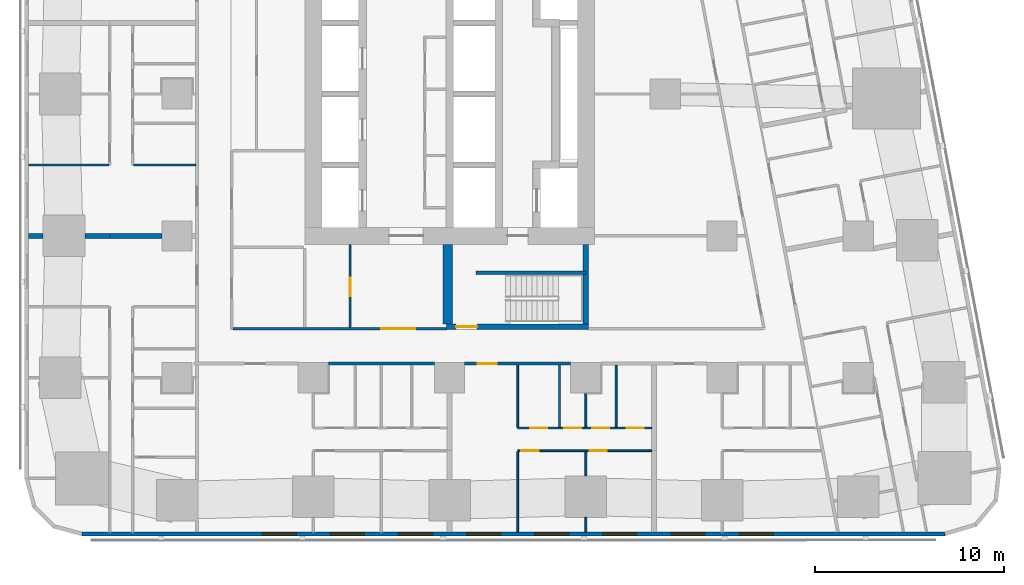
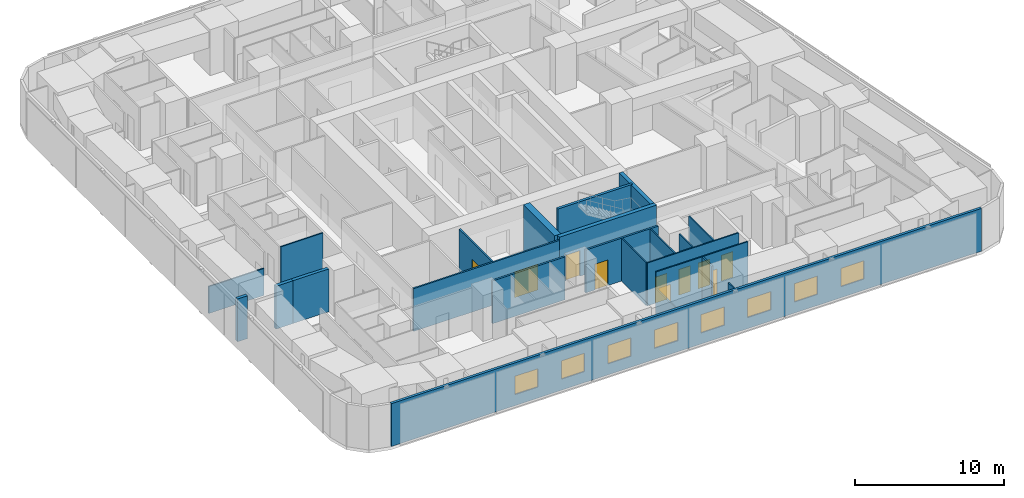
# One storey, part 3 of 15: 23 walls, 10 doors, 8 windows, 18 openings.
"""IFC4 building model written with IfcOpenShell, lengths in metres."""

from ifc_helpers import new_model, si_unit, direction, frame, frame_2d, origin, place, context, subcontext, project, spatial, rectangle, extrude, material, layer, layer_set, type_object, element, fill, save


model = new_model("IFC4")

# Units and contexts
model_context = context("Model", 3, precision=1e-05, world=origin(), true_north=direction((0.0, 1.0)))
body_context = subcontext(model_context, "Body", "Model", "MODEL_VIEW")
ifc_project = project(units=[si_unit("LENGTHUNIT", "METRE"), si_unit("AREAUNIT", "SQUARE_METRE"), si_unit("VOLUMEUNIT", "CUBIC_METRE"), si_unit("PLANEANGLEUNIT", "RADIAN"), si_unit("MASSUNIT", "GRAM", prefix="KILO")], contexts=[model_context])

# Site, building, storey
site_placement = place(None, origin())
site = spatial("IfcSite", under=ifc_project, at=site_placement, CompositionType="ELEMENT")
building_placement = place(site_placement, origin())
building = spatial("IfcBuilding", under=site, at=building_placement, Name="Sheger Commons Tower", CompositionType="ELEMENT")
storey_placement = place(building_placement, frame((0.0, 0.0, 107.89990234375)))
storey = spatial("IfcBuildingStorey", under=building, at=storey_placement, Name="L27", CompositionType="ELEMENT", Elevation=107.89990234375)

# Wall, opening, door
ifc_material_1 = material(Name="Hollow concrete block masonry, skimmed both sides", Category="masonry")
ifc_layer_1 = layer(ifc_material_1, 0.14990234375)
ifc_layer_set_1 = layer_set([ifc_layer_1], Name="CORRIDOR WALL 150")
wall_type_1 = type_object("IfcWallType", Name="CORRIDOR WALL 150", PredefinedType="SOLIDWALL", material=ifc_layer_set_1)
wall_1_placement = place(storey_placement, frame((27.9990234375, 8.25, 0.0), z_axis=(0.0, 0.0, 1.0), x_axis=(-1.0, 0.0, 0.0)))
wall_1 = element("IfcWall", 1, at=wall_1_placement, inside=storey, type_object=wall_type_1, Name="Corridor wall L27", PredefinedType="SOLIDWALL", context=body_context, shape_type="SweptSolid", body=[
    extrude(rectangle(XDim=5.59814453125, YDim=0.14990234375, at=frame_2d((2.799072265625, 0.0))), origin(), (0.0, 0.0, 1.0), 3.5),
])
opening_1_placement = place(wall_1_placement, frame((3.89892578125, 0.0, 0.0)))
opening_1 = element("IfcOpeningElement", 2, at=opening_1_placement, cuts=wall_1, Name="Opening D1", PredefinedType="OPENING", context=body_context, shape_type="SweptSolid", body=[
    extrude(rectangle(XDim=1.0, YDim=2.10009765625, at=frame_2d((0.5, 1.050048828125))), frame((0.0, 0.0849609375, 0.0), z_axis=(0.0, -1.0, 0.0), x_axis=(1.0, 0.0, 0.0)), (0.0, 0.0, 1.0), 0.169921875),
])
ifc_material_2 = material(Name="Steel door set, fire rated", Category="steel")
door_type_1 = type_object("IfcDoorType", Name="FLAT ENTRANCE DOOR 1000x2100", OperationType="NOTDEFINED", PredefinedType="DOOR", material=ifc_material_2)
door_1_placement = place(opening_1_placement, origin())
door_1 = element("IfcDoor", 3, at=door_1_placement, inside=storey, type_object=door_type_1, Name="Flat entrance door", OperationType="SINGLE_SWING_RIGHT", OverallHeight=2.10009765625, OverallWidth=1.0, PredefinedType="DOOR", context=body_context, shape_type="SweptSolid", body=[
    extrude(rectangle(XDim=1.0, YDim=2.10009765625, at=frame_2d((0.5, 1.050048828125))), frame((0.0, 0.02490234375, 0.0), z_axis=(0.0, -1.0, 0.0), x_axis=(1.0, 0.0, 0.0)), (0.0, 0.0, 1.0), 0.050048828125),
])
fill(opening_1, door_1)

# Walls
wall_2_placement = place(storey_placement, frame((20.799072265625, 8.25, 0.0), z_axis=(0.0, 0.0, 1.0), x_axis=(-1.0, 0.0, 0.0)))
element("IfcWall", 4, at=wall_2_placement, inside=storey, type_object=wall_type_1, Name="Corridor wall L27", PredefinedType="SOLIDWALL", context=body_context, shape_type="SweptSolid", body=[
    extrude(rectangle(XDim=5.59814453125, YDim=0.14990234375, at=frame_2d((2.799072265625, 0.0))), origin(), (0.0, 0.0, 1.0), 3.5),
])
ifc_material_3 = material(Name="Dense concrete block masonry, plastered both sides (separating wall between flats)", Category="masonry")
ifc_layer_2 = layer(ifc_material_3, 0.25)
ifc_layer_set_2 = layer_set([ifc_layer_2], Name="DEMISING WALL 250")
wall_type_2 = type_object("IfcWallType", Name="DEMISING WALL 250", PredefinedType="SOLIDWALL", material=ifc_layer_set_2)
wall_3_placement = place(storey_placement, frame((-0.64990234375, 15.0, 0.0), z_axis=(0.0, 0.0, 1.0), x_axis=(1.0, 0.0, 0.0)))
element("IfcWall", 5, at=wall_3_placement, inside=storey, type_object=wall_type_2, Name="Demising wall L27", PredefinedType="SOLIDWALL", context=body_context, shape_type="SweptSolid", body=[
    extrude(rectangle(XDim=0.77392578125, YDim=0.25, at=frame_2d((0.386962890625, 0.0))), origin(), (0.0, 0.0, 1.0), 3.5),
])
wall_4_placement = place(storey_placement, frame((2.325927734375, 15.0, 0.0), z_axis=(0.0, 0.0, 1.0), x_axis=(1.0, 0.0, 0.0)))
element("IfcWall", 6, at=wall_4_placement, inside=storey, type_object=wall_type_2, Name="Demising wall L27", PredefinedType="SOLIDWALL", context=body_context, shape_type="SweptSolid", body=[
    extrude(rectangle(XDim=1.323974609375, YDim=0.25, at=frame_2d((0.662109375, 0.0))), origin(), (0.0, 0.0, 1.0), 3.5),
])
wall_5_placement = place(storey_placement, frame((3.64990234375, 15.0, 0.0), z_axis=(0.0, 0.0, 1.0), x_axis=(1.0, 0.0, 0.0)))
element("IfcWall", 7, at=wall_5_placement, inside=storey, type_object=wall_type_2, Name="Demising wall L27", PredefinedType="SOLIDWALL", context=body_context, shape_type="SweptSolid", body=[
    extrude(rectangle(XDim=2.7490234375, YDim=0.25, at=frame_2d((1.37451171875, 0.0))), origin(), (0.0, 0.0, 1.0), 3.5),
])

# Wall, openings, windows
ifc_material_4 = material(Name="Rendered concrete block masonry, dark grey", Category="masonry")
ifc_layer_3 = layer(ifc_material_4, 0.199951171875)
ifc_layer_set_3 = layer_set([ifc_layer_3], Name="FACADE WALL 200")
wall_type_3 = type_object("IfcWallType", Name="FACADE WALL 200", PredefinedType="SOLIDWALL", material=ifc_layer_set_3)
wall_6_placement = place(storey_placement, frame((2.1630859375, -0.75, 0.0), z_axis=(0.0, 0.0, 1.0), x_axis=(1.0, 0.0, 0.0)))
wall_6 = element("IfcWall", 8, at=wall_6_placement, inside=storey, type_object=wall_type_3, Name="Facade wall L27", PredefinedType="SOLIDWALL", context=body_context, shape_type="SweptSolid", body=[
    extrude(rectangle(XDim=45.6279296875, YDim=0.199951171875, at=frame_2d((22.81396484375, 0.0))), origin(), (0.0, 0.0, 1.0), 3.5),
])
opening_2_placement = place(wall_6_placement, frame((9.537109375, 0.0, 0.89990234375)))
opening_2 = element("IfcOpeningElement", 9, at=opening_2_placement, cuts=wall_6, Name="Opening W2", PredefinedType="OPENING", context=body_context, shape_type="SweptSolid", body=[
    extrude(rectangle(XDim=1.800048828125, YDim=1.5, at=frame_2d((0.89990234375, 0.75))), frame((0.0, 0.10986328125, 0.0), z_axis=(0.0, -1.0, 0.0), x_axis=(1.0, 0.0, 0.0)), (0.0, 0.0, 1.0), 0.219970703125),
])
opening_3_placement = place(wall_6_placement, frame((13.136962890625, 0.0, 0.89990234375)))
opening_3 = element("IfcOpeningElement", 10, at=opening_3_placement, cuts=wall_6, Name="Opening W2", PredefinedType="OPENING", context=body_context, shape_type="SweptSolid", body=[
    extrude(rectangle(XDim=1.800048828125, YDim=1.5, at=frame_2d((0.89990234375, 0.75))), frame((0.0, 0.10986328125, 0.0), z_axis=(0.0, -1.0, 0.0), x_axis=(1.0, 0.0, 0.0)), (0.0, 0.0, 1.0), 0.219970703125),
])
opening_4_placement = place(wall_6_placement, frame((16.737060546875, 0.0, 0.89990234375)))
opening_4 = element("IfcOpeningElement", 11, at=opening_4_placement, cuts=wall_6, Name="Opening W2", PredefinedType="OPENING", context=body_context, shape_type="SweptSolid", body=[
    extrude(rectangle(XDim=1.800048828125, YDim=1.5, at=frame_2d((0.89990234375, 0.75))), frame((0.0, 0.10986328125, 0.0), z_axis=(0.0, -1.0, 0.0), x_axis=(1.0, 0.0, 0.0)), (0.0, 0.0, 1.0), 0.219970703125),
])
opening_5_placement = place(wall_6_placement, frame((20.3369140625, 0.0, 0.89990234375)))
opening_5 = element("IfcOpeningElement", 12, at=opening_5_placement, cuts=wall_6, Name="Opening W2", PredefinedType="OPENING", context=body_context, shape_type="SweptSolid", body=[
    extrude(rectangle(XDim=1.800048828125, YDim=1.5, at=frame_2d((0.89990234375, 0.75))), frame((0.0, 0.10986328125, 0.0), z_axis=(0.0, -1.0, 0.0), x_axis=(1.0, 0.0, 0.0)), (0.0, 0.0, 1.0), 0.219970703125),
])
opening_6_placement = place(wall_6_placement, frame((23.93701171875, 0.0, 0.89990234375)))
opening_6 = element("IfcOpeningElement", 13, at=opening_6_placement, cuts=wall_6, Name="Opening W2", PredefinedType="OPENING", context=body_context, shape_type="SweptSolid", body=[
    extrude(rectangle(XDim=1.800048828125, YDim=1.5, at=frame_2d((0.89990234375, 0.75))), frame((0.0, 0.10986328125, 0.0), z_axis=(0.0, -1.0, 0.0), x_axis=(1.0, 0.0, 0.0)), (0.0, 0.0, 1.0), 0.219970703125),
])
opening_7_placement = place(wall_6_placement, frame((27.537109375, 0.0, 0.89990234375)))
opening_7 = element("IfcOpeningElement", 14, at=opening_7_placement, cuts=wall_6, Name="Opening W2", PredefinedType="OPENING", context=body_context, shape_type="SweptSolid", body=[
    extrude(rectangle(XDim=1.800048828125, YDim=1.5, at=frame_2d((0.89990234375, 0.75))), frame((0.0, 0.10986328125, 0.0), z_axis=(0.0, -1.0, 0.0), x_axis=(1.0, 0.0, 0.0)), (0.0, 0.0, 1.0), 0.219970703125),
])
opening_8_placement = place(wall_6_placement, frame((31.136962890625, 0.0, 0.89990234375)))
opening_8 = element("IfcOpeningElement", 15, at=opening_8_placement, cuts=wall_6, Name="Opening W2", PredefinedType="OPENING", context=body_context, shape_type="SweptSolid", body=[
    extrude(rectangle(XDim=1.800048828125, YDim=1.5, at=frame_2d((0.89990234375, 0.75))), frame((0.0, 0.10986328125, 0.0), z_axis=(0.0, -1.0, 0.0), x_axis=(1.0, 0.0, 0.0)), (0.0, 0.0, 1.0), 0.219970703125),
])
opening_9_placement = place(wall_6_placement, frame((34.737060546875, 0.0, 0.89990234375)))
opening_9 = element("IfcOpeningElement", 16, at=opening_9_placement, cuts=wall_6, Name="Opening W2", PredefinedType="OPENING", context=body_context, shape_type="SweptSolid", body=[
    extrude(rectangle(XDim=1.800048828125, YDim=1.5, at=frame_2d((0.89990234375, 0.75))), frame((0.0, 0.10986328125, 0.0), z_axis=(0.0, -1.0, 0.0), x_axis=(1.0, 0.0, 0.0)), (0.0, 0.0, 1.0), 0.219970703125),
])
ifc_material_5 = material(Name="Black aluminium frame, dark tinted double glazing", Category="aluminium")
window_type = type_object("IfcWindowType", Name="WINDOW W2 1800x1500", PartitioningType="SINGLE_PANEL", PredefinedType="WINDOW", material=ifc_material_5)
window_1_placement = place(opening_2_placement, origin())
window_1 = element("IfcWindow", 17, at=window_1_placement, inside=storey, type_object=window_type, Name="Window W2 1800X1500", OverallHeight=1.5, OverallWidth=1.800048828125, PartitioningType="SINGLE_PANEL", PredefinedType="WINDOW", context=body_context, shape_type="SweptSolid", body=[
    extrude(rectangle(XDim=1.800048828125, YDim=1.5, at=frame_2d((0.89990234375, 0.75))), frame((0.0, 0.030029296875, 0.0), z_axis=(0.0, -1.0, 0.0), x_axis=(1.0, 0.0, 0.0)), (0.0, 0.0, 1.0), 0.06005859375),
])
fill(opening_2, window_1)
window_2_placement = place(opening_3_placement, origin())
window_2 = element("IfcWindow", 18, at=window_2_placement, inside=storey, type_object=window_type, Name="Window W2 1800X1500", OverallHeight=1.5, OverallWidth=1.800048828125, PartitioningType="SINGLE_PANEL", PredefinedType="WINDOW", context=body_context, shape_type="SweptSolid", body=[
    extrude(rectangle(XDim=1.800048828125, YDim=1.5, at=frame_2d((0.89990234375, 0.75))), frame((0.0, 0.030029296875, 0.0), z_axis=(0.0, -1.0, 0.0), x_axis=(1.0, 0.0, 0.0)), (0.0, 0.0, 1.0), 0.06005859375),
])
fill(opening_3, window_2)
window_3_placement = place(opening_4_placement, origin())
window_3 = element("IfcWindow", 19, at=window_3_placement, inside=storey, type_object=window_type, Name="Window W2 1800X1500", OverallHeight=1.5, OverallWidth=1.800048828125, PartitioningType="SINGLE_PANEL", PredefinedType="WINDOW", context=body_context, shape_type="SweptSolid", body=[
    extrude(rectangle(XDim=1.800048828125, YDim=1.5, at=frame_2d((0.89990234375, 0.75))), frame((0.0, 0.030029296875, 0.0), z_axis=(0.0, -1.0, 0.0), x_axis=(1.0, 0.0, 0.0)), (0.0, 0.0, 1.0), 0.06005859375),
])
fill(opening_4, window_3)
window_4_placement = place(opening_5_placement, origin())
window_4 = element("IfcWindow", 20, at=window_4_placement, inside=storey, type_object=window_type, Name="Window W2 1800X1500", OverallHeight=1.5, OverallWidth=1.800048828125, PartitioningType="SINGLE_PANEL", PredefinedType="WINDOW", context=body_context, shape_type="SweptSolid", body=[
    extrude(rectangle(XDim=1.800048828125, YDim=1.5, at=frame_2d((0.89990234375, 0.75))), frame((0.0, 0.030029296875, 0.0), z_axis=(0.0, -1.0, 0.0), x_axis=(1.0, 0.0, 0.0)), (0.0, 0.0, 1.0), 0.06005859375),
])
fill(opening_5, window_4)
window_5_placement = place(opening_6_placement, origin())
window_5 = element("IfcWindow", 21, at=window_5_placement, inside=storey, type_object=window_type, Name="Window W2 1800X1500", OverallHeight=1.5, OverallWidth=1.800048828125, PartitioningType="SINGLE_PANEL", PredefinedType="WINDOW", context=body_context, shape_type="SweptSolid", body=[
    extrude(rectangle(XDim=1.800048828125, YDim=1.5, at=frame_2d((0.89990234375, 0.75))), frame((0.0, 0.030029296875, 0.0), z_axis=(0.0, -1.0, 0.0), x_axis=(1.0, 0.0, 0.0)), (0.0, 0.0, 1.0), 0.06005859375),
])
fill(opening_6, window_5)
window_6_placement = place(opening_7_placement, origin())
window_6 = element("IfcWindow", 22, at=window_6_placement, inside=storey, type_object=window_type, Name="Window W2 1800X1500", OverallHeight=1.5, OverallWidth=1.800048828125, PartitioningType="SINGLE_PANEL", PredefinedType="WINDOW", context=body_context, shape_type="SweptSolid", body=[
    extrude(rectangle(XDim=1.800048828125, YDim=1.5, at=frame_2d((0.89990234375, 0.75))), frame((0.0, 0.030029296875, 0.0), z_axis=(0.0, -1.0, 0.0), x_axis=(1.0, 0.0, 0.0)), (0.0, 0.0, 1.0), 0.06005859375),
])
fill(opening_7, window_6)
window_7_placement = place(opening_8_placement, origin())
window_7 = element("IfcWindow", 23, at=window_7_placement, inside=storey, type_object=window_type, Name="Window W2 1800X1500", OverallHeight=1.5, OverallWidth=1.800048828125, PartitioningType="SINGLE_PANEL", PredefinedType="WINDOW", context=body_context, shape_type="SweptSolid", body=[
    extrude(rectangle(XDim=1.800048828125, YDim=1.5, at=frame_2d((0.89990234375, 0.75))), frame((0.0, 0.030029296875, 0.0), z_axis=(0.0, -1.0, 0.0), x_axis=(1.0, 0.0, 0.0)), (0.0, 0.0, 1.0), 0.06005859375),
])
fill(opening_8, window_7)
window_8_placement = place(opening_9_placement, origin())
window_8 = element("IfcWindow", 24, at=window_8_placement, inside=storey, type_object=window_type, Name="Window W2 1800X1500", OverallHeight=1.5, OverallWidth=1.800048828125, PartitioningType="SINGLE_PANEL", PredefinedType="WINDOW", context=body_context, shape_type="SweptSolid", body=[
    extrude(rectangle(XDim=1.800048828125, YDim=1.5, at=frame_2d((0.89990234375, 0.75))), frame((0.0, 0.030029296875, 0.0), z_axis=(0.0, -1.0, 0.0), x_axis=(1.0, 0.0, 0.0)), (0.0, 0.0, 1.0), 0.06005859375),
])
fill(opening_9, window_8)

# Walls
ifc_material_6 = material(Name="Gypsum board on steel studs", Category="steel")
ifc_layer_4 = layer(ifc_material_6, 0.10009765625)
ifc_layer_set_4 = layer_set([ifc_layer_4], Name="PARTITION 100")
wall_type_4 = type_object("IfcWallType", Name="PARTITION 100", PredefinedType="PARTITIONING", material=ifc_layer_set_4)
wall_7_placement = place(storey_placement, frame((-0.64990234375, 18.75, 0.0), z_axis=(0.0, 0.0, 1.0), x_axis=(1.0, 0.0, 0.0)))
element("IfcWall", 25, at=wall_7_placement, inside=storey, type_object=wall_type_4, Name="Partition L27", PredefinedType="PARTITIONING", context=body_context, shape_type="SweptSolid", body=[
    extrude(rectangle(XDim=4.25, YDim=0.10009765625, at=frame_2d((2.125, 0.0))), origin(), (0.0, 0.0, 1.0), 2.2001953125),
])
wall_8_placement = place(storey_placement, frame((4.89990234375, 18.75, 0.0), z_axis=(0.0, 0.0, 1.0), x_axis=(1.0, 0.0, 0.0)))
element("IfcWall", 26, at=wall_8_placement, inside=storey, type_object=wall_type_4, Name="Partition L27", PredefinedType="PARTITIONING", context=body_context, shape_type="SweptSolid", body=[
    extrude(rectangle(XDim=3.275146484375, YDim=0.10009765625, at=frame_2d((1.6376953125, 0.0))), origin(), (0.0, 0.0, 1.0), 3.5),
])

# Wall, openings, doors
wall_9_placement = place(storey_placement, frame((32.27490234375, 3.64990234375, 0.0), z_axis=(0.0, 0.0, 1.0), x_axis=(-1.0, 0.0, 0.0)))
wall_9 = element("IfcWall", 27, at=wall_9_placement, inside=storey, type_object=wall_type_4, Name="Partition L27", PredefinedType="PARTITIONING", context=body_context, shape_type="SweptSolid", body=[
    extrude(rectangle(XDim=7.074951171875, YDim=0.10009765625, at=frame_2d((3.53759765625, 0.0))), origin(), (0.0, 0.0, 1.0), 3.5),
])
opening_10_placement = place(wall_9_placement, frame((5.97509765625, 0.0, 0.0)))
opening_10 = element("IfcOpeningElement", 28, at=opening_10_placement, cuts=wall_9, Name="Opening D2", PredefinedType="OPENING", context=body_context, shape_type="SweptSolid", body=[
    extrude(rectangle(XDim=0.89990234375, YDim=2.10009765625, at=frame_2d((0.449951171875, 1.050048828125))), frame((0.0, 0.06005859375, 0.0), z_axis=(0.0, -1.0, 0.0), x_axis=(1.0, 0.0, 0.0)), (0.0, 0.0, 1.0), 0.1201171875),
])
opening_11_placement = place(wall_9_placement, frame((2.375, 0.0, 0.0)))
opening_11 = element("IfcOpeningElement", 29, at=opening_11_placement, cuts=wall_9, Name="Opening D2", PredefinedType="OPENING", context=body_context, shape_type="SweptSolid", body=[
    extrude(rectangle(XDim=0.89990234375, YDim=2.10009765625, at=frame_2d((0.449951171875, 1.050048828125))), frame((0.0, 0.06005859375, 0.0), z_axis=(0.0, -1.0, 0.0), x_axis=(1.0, 0.0, 0.0)), (0.0, 0.0, 1.0), 0.1201171875),
])
ifc_material_7 = material(Name="Timber door set", Category="wood")
door_type_2 = type_object("IfcDoorType", Name="INTERNAL DOOR 900x2100", OperationType="NOTDEFINED", PredefinedType="DOOR", material=ifc_material_7)
door_2_placement = place(opening_10_placement, origin())
door_2 = element("IfcDoor", 30, at=door_2_placement, inside=storey, type_object=door_type_2, Name="Main bedroom door", OperationType="SINGLE_SWING_RIGHT", OverallHeight=2.10009765625, OverallWidth=0.89990234375, PredefinedType="DOOR", context=body_context, shape_type="SweptSolid", body=[
    extrude(rectangle(XDim=0.89990234375, YDim=2.10009765625, at=frame_2d((0.449951171875, 1.050048828125))), frame((0.0, 0.02490234375, 0.0), z_axis=(0.0, -1.0, 0.0), x_axis=(1.0, 0.0, 0.0)), (0.0, 0.0, 1.0), 0.050048828125),
])
fill(opening_10, door_2)
door_3_placement = place(opening_11_placement, origin())
door_3 = element("IfcDoor", 31, at=door_3_placement, inside=storey, type_object=door_type_2, Name="Bedroom 2 door", OperationType="SINGLE_SWING_RIGHT", OverallHeight=2.10009765625, OverallWidth=0.89990234375, PredefinedType="DOOR", context=body_context, shape_type="SweptSolid", body=[
    extrude(rectangle(XDim=0.89990234375, YDim=2.10009765625, at=frame_2d((0.449951171875, 1.050048828125))), frame((0.0, 0.02490234375, 0.0), z_axis=(0.0, -1.0, 0.0), x_axis=(1.0, 0.0, 0.0)), (0.0, 0.0, 1.0), 0.050048828125),
])
fill(opening_11, door_3)

wall_10_placement = place(storey_placement, frame((32.27490234375, 4.85009765625, 0.0), z_axis=(0.0, 0.0, 1.0), x_axis=(-1.0, 0.0, 0.0)))
wall_10 = element("IfcWall", 32, at=wall_10_placement, inside=storey, type_object=wall_type_4, Name="Partition L27", PredefinedType="PARTITIONING", context=body_context, shape_type="SweptSolid", body=[
    extrude(rectangle(XDim=7.074951171875, YDim=0.10009765625, at=frame_2d((3.53759765625, 0.0))), origin(), (0.0, 0.0, 1.0), 3.5),
])
opening_12_placement = place(wall_10_placement, frame((5.52001953125, 0.0, 0.0)))
opening_12 = element("IfcOpeningElement", 33, at=opening_12_placement, cuts=wall_10, Name="Opening D2", PredefinedType="OPENING", context=body_context, shape_type="SweptSolid", body=[
    extrude(rectangle(XDim=0.89990234375, YDim=2.10009765625, at=frame_2d((0.449951171875, 1.050048828125))), frame((0.0, 0.06005859375, 0.0), z_axis=(0.0, -1.0, 0.0), x_axis=(1.0, 0.0, 0.0)), (0.0, 0.0, 1.0), 0.1201171875),
])
opening_13_placement = place(wall_10_placement, frame((2.22509765625, 0.0, 0.0)))
opening_13 = element("IfcOpeningElement", 34, at=opening_13_placement, cuts=wall_10, Name="Opening D2", PredefinedType="OPENING", context=body_context, shape_type="SweptSolid", body=[
    extrude(rectangle(XDim=0.89990234375, YDim=2.10009765625, at=frame_2d((0.449951171875, 1.050048828125))), frame((0.0, 0.06005859375, 0.0), z_axis=(0.0, -1.0, 0.0), x_axis=(1.0, 0.0, 0.0)), (0.0, 0.0, 1.0), 0.1201171875),
])
opening_14_placement = place(wall_10_placement, frame((3.719970703125, 0.0, 0.0)))
opening_14 = element("IfcOpeningElement", 35, at=opening_14_placement, cuts=wall_10, Name="Opening D2", PredefinedType="OPENING", context=body_context, shape_type="SweptSolid", body=[
    extrude(rectangle(XDim=0.89990234375, YDim=2.10009765625, at=frame_2d((0.449951171875, 1.050048828125))), frame((0.0, 0.06005859375, 0.0), z_axis=(0.0, -1.0, 0.0), x_axis=(1.0, 0.0, 0.0)), (0.0, 0.0, 1.0), 0.1201171875),
])
opening_15_placement = place(wall_10_placement, frame((0.425048828125, 0.0, 0.0)))
opening_15 = element("IfcOpeningElement", 36, at=opening_15_placement, cuts=wall_10, Name="Opening D2", PredefinedType="OPENING", context=body_context, shape_type="SweptSolid", body=[
    extrude(rectangle(XDim=0.89990234375, YDim=2.10009765625, at=frame_2d((0.449951171875, 1.050048828125))), frame((0.0, 0.06005859375, 0.0), z_axis=(0.0, -1.0, 0.0), x_axis=(1.0, 0.0, 0.0)), (0.0, 0.0, 1.0), 0.1201171875),
])
door_4_placement = place(opening_12_placement, origin())
door_4 = element("IfcDoor", 37, at=door_4_placement, inside=storey, type_object=door_type_2, Name="Bathroom door", OperationType="SINGLE_SWING_LEFT", OverallHeight=2.10009765625, OverallWidth=0.89990234375, PredefinedType="DOOR", context=body_context, shape_type="SweptSolid", body=[
    extrude(rectangle(XDim=0.89990234375, YDim=2.10009765625, at=frame_2d((0.449951171875, 1.050048828125))), frame((0.0, 0.02490234375, 0.0), z_axis=(0.0, -1.0, 0.0), x_axis=(1.0, 0.0, 0.0)), (0.0, 0.0, 1.0), 0.050048828125),
])
fill(opening_12, door_4)
door_5_placement = place(opening_13_placement, origin())
door_5 = element("IfcDoor", 38, at=door_5_placement, inside=storey, type_object=door_type_2, Name="Shower room door", OperationType="SINGLE_SWING_LEFT", OverallHeight=2.10009765625, OverallWidth=0.89990234375, PredefinedType="DOOR", context=body_context, shape_type="SweptSolid", body=[
    extrude(rectangle(XDim=0.89990234375, YDim=2.10009765625, at=frame_2d((0.449951171875, 1.050048828125))), frame((0.0, 0.02490234375, 0.0), z_axis=(0.0, -1.0, 0.0), x_axis=(1.0, 0.0, 0.0)), (0.0, 0.0, 1.0), 0.050048828125),
])
fill(opening_13, door_5)
door_6_placement = place(opening_14_placement, origin())
door_6 = element("IfcDoor", 39, at=door_6_placement, inside=storey, type_object=door_type_2, Name="Store door", OperationType="SINGLE_SWING_LEFT", OverallHeight=2.10009765625, OverallWidth=0.89990234375, PredefinedType="DOOR", context=body_context, shape_type="SweptSolid", body=[
    extrude(rectangle(XDim=0.89990234375, YDim=2.10009765625, at=frame_2d((0.449951171875, 1.050048828125))), frame((0.0, 0.02490234375, 0.0), z_axis=(0.0, -1.0, 0.0), x_axis=(1.0, 0.0, 0.0)), (0.0, 0.0, 1.0), 0.050048828125),
])
fill(opening_14, door_6)
door_7_placement = place(opening_15_placement, origin())
door_7 = element("IfcDoor", 40, at=door_7_placement, inside=storey, type_object=door_type_2, Name="Store door", OperationType="SINGLE_SWING_RIGHT", OverallHeight=2.10009765625, OverallWidth=0.89990234375, PredefinedType="DOOR", context=body_context, shape_type="SweptSolid", body=[
    extrude(rectangle(XDim=0.89990234375, YDim=2.10009765625, at=frame_2d((0.449951171875, 1.050048828125))), frame((0.0, 0.02490234375, 0.0), z_axis=(0.0, -1.0, 0.0), x_axis=(1.0, 0.0, 0.0)), (0.0, 0.0, 1.0), 0.050048828125),
])
fill(opening_15, door_7)

# Walls
wall_11_placement = place(storey_placement, frame((25.199951171875, -0.64990234375, 0.0), z_axis=(0.0, 0.0, 1.0), x_axis=(0.0, 1.0, 0.0)))
element("IfcWall", 41, at=wall_11_placement, inside=storey, type_object=wall_type_4, Name="Partition L27", PredefinedType="PARTITIONING", context=body_context, shape_type="SweptSolid", body=[
    extrude(rectangle(XDim=4.25, YDim=0.10009765625, at=frame_2d((2.125, 0.0))), origin(), (0.0, 0.0, 1.0), 2.2001953125),
])
wall_12_placement = place(storey_placement, frame((28.800048828125, -0.64990234375, 0.0), z_axis=(0.0, 0.0, 1.0), x_axis=(0.0, 1.0, 0.0)))
element("IfcWall", 42, at=wall_12_placement, inside=storey, type_object=wall_type_4, Name="Partition L27", PredefinedType="PARTITIONING", context=body_context, shape_type="SweptSolid", body=[
    extrude(rectangle(XDim=0.77392578125, YDim=0.10009765625, at=frame_2d((0.386962890625, 0.0))), origin(), (0.0, 0.0, 1.0), 3.5),
])
wall_13_placement = place(storey_placement, frame((28.800048828125, 2.325927734375, 0.0), z_axis=(0.0, 0.0, 1.0), x_axis=(0.0, 1.0, 0.0)))
element("IfcWall", 43, at=wall_13_placement, inside=storey, type_object=wall_type_4, Name="Partition L27", PredefinedType="PARTITIONING", context=body_context, shape_type="SweptSolid", body=[
    extrude(rectangle(XDim=1.274169921875, YDim=0.10009765625, at=frame_2d((0.63720703125, 0.0))), origin(), (0.0, 0.0, 1.0), 3.5),
])
wall_14_placement = place(storey_placement, frame((25.199951171875, 4.89990234375, 0.0), z_axis=(0.0, 0.0, 1.0), x_axis=(0.0, 1.0, 0.0)))
element("IfcWall", 44, at=wall_14_placement, inside=storey, type_object=wall_type_4, Name="Partition L27", PredefinedType="PARTITIONING", context=body_context, shape_type="SweptSolid", body=[
    extrude(rectangle(XDim=3.275146484375, YDim=0.10009765625, at=frame_2d((1.6376953125, 0.0))), origin(), (0.0, 0.0, 1.0), 3.5),
])
wall_15_placement = place(storey_placement, frame((28.800048828125, 4.89990234375, 0.0), z_axis=(0.0, 0.0, 1.0), x_axis=(0.0, 1.0, 0.0)))
element("IfcWall", 45, at=wall_15_placement, inside=storey, type_object=wall_type_4, Name="Partition L27", PredefinedType="PARTITIONING", context=body_context, shape_type="SweptSolid", body=[
    extrude(rectangle(XDim=1.799072265625, YDim=0.10009765625, at=frame_2d((0.8994140625, 0.0))), origin(), (0.0, 0.0, 1.0), 3.5),
])
for number, where, z_axis, x_axis, name in (
    (46, (27.409912109375, 4.89990234375, 0.0), (0.0, 0.0, 1.0), (0.0, 1.0, 0.0), "Partition L27"),
    (47, (30.39990234375, 4.89990234375, 0.0), (0.0, 0.0, 1.0), (0.0, 1.0, 0.0), "Partition L27"),
):
    element("IfcWall", number, at=place(storey_placement, frame(where, z_axis=z_axis, x_axis=x_axis)), inside=storey, type_object=wall_type_4, Name=name, PredefinedType="PARTITIONING", context=body_context, shape_type="SweptSolid", body=[
        extrude(rectangle(XDim=3.275146484375, YDim=0.10009765625, at=frame_2d((1.6376953125, 0.0))), origin(), (0.0, 0.0, 1.0), 3.5),
    ])

# Wall, opening, door
ifc_material_8 = material(Name="Gypsum board on steel studs, two layers each side, fire rated", Category="steel")
ifc_layer_5 = layer(ifc_material_8, 0.125)
ifc_layer_set_5 = layer_set([ifc_layer_5], Name="SERVICE WALL 125")
wall_type_5 = type_object("IfcWallType", Name="SERVICE WALL 125", PredefinedType="PARTITIONING", material=ifc_layer_set_5)
wall_16_placement = place(storey_placement, frame((10.1630859375, 10.10009765625, 0.0), z_axis=(0.0, 0.0, 1.0), x_axis=(1.0, 0.0, 0.0)))
wall_16 = element("IfcWall", 48, at=wall_16_placement, inside=storey, type_object=wall_type_5, Name="Service room wall L27", PredefinedType="PARTITIONING", context=body_context, shape_type="SweptSolid", body=[
    extrude(rectangle(XDim=11.286865234375, YDim=0.125, at=frame_2d((5.6435546875, 0.0))), origin(), (0.0, 0.0, 1.0), 3.5),
])
opening_16_placement = place(wall_16_placement, frame((7.83203125, 0.0, 0.0)))
opening_16 = element("IfcOpeningElement", 49, at=opening_16_placement, cuts=wall_16, Name="Opening D6", PredefinedType="OPENING", context=body_context, shape_type="SweptSolid", body=[
    extrude(rectangle(XDim=1.800048828125, YDim=2.10009765625, at=frame_2d((0.89990234375, 1.050048828125))), frame((0.0, 0.072509765625, 0.0), z_axis=(0.0, -1.0, 0.0), x_axis=(1.0, 0.0, 0.0)), (0.0, 0.0, 1.0), 0.14501953125),
])
ifc_material_9 = material(Name="Steel door set, fire rated", Category="steel")
door_type_3 = type_object("IfcDoorType", Name="LOBBY DOUBLE DOOR 1800x2100", OperationType="DOUBLE_DOOR_SINGLE_SWING", PredefinedType="DOOR", material=ifc_material_9)
door_8_placement = place(opening_16_placement, origin())
door_8 = element("IfcDoor", 50, at=door_8_placement, inside=storey, type_object=door_type_3, Name="Lift lobby south door", OperationType="DOUBLE_DOOR_SINGLE_SWING", OverallHeight=2.10009765625, OverallWidth=1.800048828125, PredefinedType="DOOR", context=body_context, shape_type="SweptSolid", body=[
    extrude(rectangle(XDim=1.800048828125, YDim=2.10009765625, at=frame_2d((0.89990234375, 1.050048828125))), frame((0.0, 0.02490234375, 0.0), z_axis=(0.0, -1.0, 0.0), x_axis=(1.0, 0.0, 0.0)), (0.0, 0.0, 1.0), 0.050048828125),
])
fill(opening_16, door_8)

wall_17_placement = place(storey_placement, frame((16.340087890625, 10.1630859375, 0.0), z_axis=(0.0, 0.0, 1.0), x_axis=(0.0, 1.0, 0.0)))
wall_17 = element("IfcWall", 51, at=wall_17_placement, inside=storey, type_object=wall_type_5, Name="Service room wall L27", PredefinedType="PARTITIONING", context=body_context, shape_type="SweptSolid", body=[
    extrude(rectangle(XDim=4.386962890625, YDim=0.125, at=frame_2d((2.193359375, 0.0))), origin(), (0.0, 0.0, 1.0), 3.5),
])
opening_17_placement = place(wall_17_placement, frame((1.636962890625, 0.0, 0.0)))
opening_17 = element("IfcOpeningElement", 52, at=opening_17_placement, cuts=wall_17, Name="Opening D4", PredefinedType="OPENING", context=body_context, shape_type="SweptSolid", body=[
    extrude(rectangle(XDim=1.0, YDim=2.10009765625, at=frame_2d((0.5, 1.050048828125))), frame((0.0, 0.072509765625, 0.0), z_axis=(0.0, -1.0, 0.0), x_axis=(1.0, 0.0, 0.0)), (0.0, 0.0, 1.0), 0.14501953125),
])
ifc_material_10 = material(Name="Steel door set, fire rated", Category="steel")
door_type_4 = type_object("IfcDoorType", Name="SERVICE DOOR 1000x2100", OperationType="NOTDEFINED", PredefinedType="DOOR", material=ifc_material_10)
door_9_placement = place(opening_17_placement, origin())
door_9 = element("IfcDoor", 53, at=door_9_placement, inside=storey, type_object=door_type_4, Name="Electrical room door", OperationType="SINGLE_SWING_LEFT", OverallHeight=2.10009765625, OverallWidth=1.0, PredefinedType="DOOR", context=body_context, shape_type="SweptSolid", body=[
    extrude(rectangle(XDim=1.0, YDim=2.10009765625, at=frame_2d((0.5, 1.050048828125))), frame((0.0, 0.02490234375, 0.0), z_axis=(0.0, -1.0, 0.0), x_axis=(1.0, 0.0, 0.0)), (0.0, 0.0, 1.0), 0.050048828125),
])
fill(opening_17, door_9)

ifc_material_11 = material(Name="Concrete C50/60", Category="concrete")
ifc_layer_6 = layer(ifc_material_11, 0.300048828125)
ifc_layer_set_6 = layer_set([ifc_layer_6], Name="STAIR CORE WALL 300")
wall_type_6 = type_object("IfcWallType", Name="STAIR CORE WALL 300", PredefinedType="SHEAR", material=ifc_layer_set_6)
wall_18_placement = place(storey_placement, frame((21.449951171875, 10.199951171875, 0.0), z_axis=(0.0, 0.0, 1.0), x_axis=(1.0, 0.0, 0.0)))
wall_18 = element("IfcWall", 54, at=wall_18_placement, inside=storey, type_object=wall_type_6, Name="STW-L27-S1S", PredefinedType="SHEAR", context=body_context, shape_type="SweptSolid", body=[
    extrude(rectangle(XDim=7.5, YDim=0.300048828125, at=frame_2d((3.75, 0.0))), origin(), (0.0, 0.0, 1.0), 3.75),
])
opening_18_placement = place(wall_18_placement, frame((0.5, 0.0, 0.0)))
opening_18 = element("IfcOpeningElement", 55, at=opening_18_placement, cuts=wall_18, Name="Opening D5", PredefinedType="OPENING", context=body_context, shape_type="SweptSolid", body=[
    extrude(rectangle(XDim=1.10009765625, YDim=2.10009765625, at=frame_2d((0.550048828125, 1.050048828125))), frame((0.0, 0.159912109375, 0.0), z_axis=(0.0, -1.0, 0.0), x_axis=(1.0, 0.0, 0.0)), (0.0, 0.0, 1.0), 0.320068359375),
])
ifc_material_12 = material(Name="Steel door set, fire rated", Category="steel")
door_type_5 = type_object("IfcDoorType", Name="STAIR DOOR 1100x2100", OperationType="NOTDEFINED", PredefinedType="DOOR", material=ifc_material_12)
door_10_placement = place(opening_18_placement, origin())
door_10 = element("IfcDoor", 56, at=door_10_placement, inside=storey, type_object=door_type_5, Name="Stair S1 door", OperationType="SINGLE_SWING_LEFT", OverallHeight=2.10009765625, OverallWidth=1.10009765625, PredefinedType="DOOR", context=body_context, shape_type="SweptSolid", body=[
    extrude(rectangle(XDim=1.10009765625, YDim=2.10009765625, at=frame_2d((0.550048828125, 1.050048828125))), frame((0.0, 0.02490234375, 0.0), z_axis=(0.0, -1.0, 0.0), x_axis=(1.0, 0.0, 0.0)), (0.0, 0.0, 1.0), 0.050048828125),
])
fill(opening_18, door_10)

# Walls
wall_19_placement = place(storey_placement, frame((28.800048828125, 10.35009765625, 0.0), z_axis=(0.0, 0.0, 1.0), x_axis=(0.0, 1.0, 0.0)))
element("IfcWall", 57, at=wall_19_placement, inside=storey, type_object=wall_type_6, Name="STW-L27-S1E", PredefinedType="SHEAR", context=body_context, shape_type="SweptSolid", body=[
    extrude(rectangle(XDim=4.199951171875, YDim=0.300048828125, at=frame_2d((2.10009765625, 0.0))), origin(), (0.0, 0.0, 1.0), 3.75),
])
ifc_material_13 = material(Name="Concrete C50/60", Category="concrete")
ifc_layer_7 = layer(ifc_material_13, 0.5)
ifc_layer_set_7 = layer_set([ifc_layer_7], Name="STAIR CORE WALL 500")
wall_type_7 = type_object("IfcWallType", Name="STAIR CORE WALL 500", PredefinedType="SHEAR", material=ifc_layer_set_7)
wall_20_placement = place(storey_placement, frame((21.5, 10.35009765625, 0.0), z_axis=(0.0, 0.0, 1.0), x_axis=(0.0, 1.0, 0.0)))
element("IfcWall", 58, at=wall_20_placement, inside=storey, type_object=wall_type_7, Name="STW-L27-S1W", PredefinedType="SHEAR", context=body_context, shape_type="SweptSolid", body=[
    extrude(rectangle(XDim=4.199951171875, YDim=0.5, at=frame_2d((2.10009765625, 0.0))), origin(), (0.0, 0.0, 1.0), 3.75),
])
ifc_material_14 = material(Name="Concrete C50/60", Category="concrete")
ifc_layer_8 = layer(ifc_material_14, 0.199951171875)
ifc_layer_set_8 = layer_set([ifc_layer_8], Name="STAIR SPINE WALL 200")
wall_type_8 = type_object("IfcWallType", Name="STAIR SPINE WALL 200", PredefinedType="SHEAR", material=ifc_layer_set_8)
wall_21_placement = place(storey_placement, frame((23.0, 13.050048828125, 0.0), z_axis=(0.0, 0.0, 1.0), x_axis=(1.0, 0.0, 0.0)))
element("IfcWall", 59, at=wall_21_placement, inside=storey, type_object=wall_type_8, Name="Stair spine wall L27", PredefinedType="SHEAR", context=body_context, shape_type="SweptSolid", body=[
    extrude(rectangle(XDim=5.800048828125, YDim=0.199951171875, at=frame_2d((2.89990234375, 0.0))), origin(), (0.0, 0.0, 1.0), 3.75),
])

save(model, "model.ifc")
